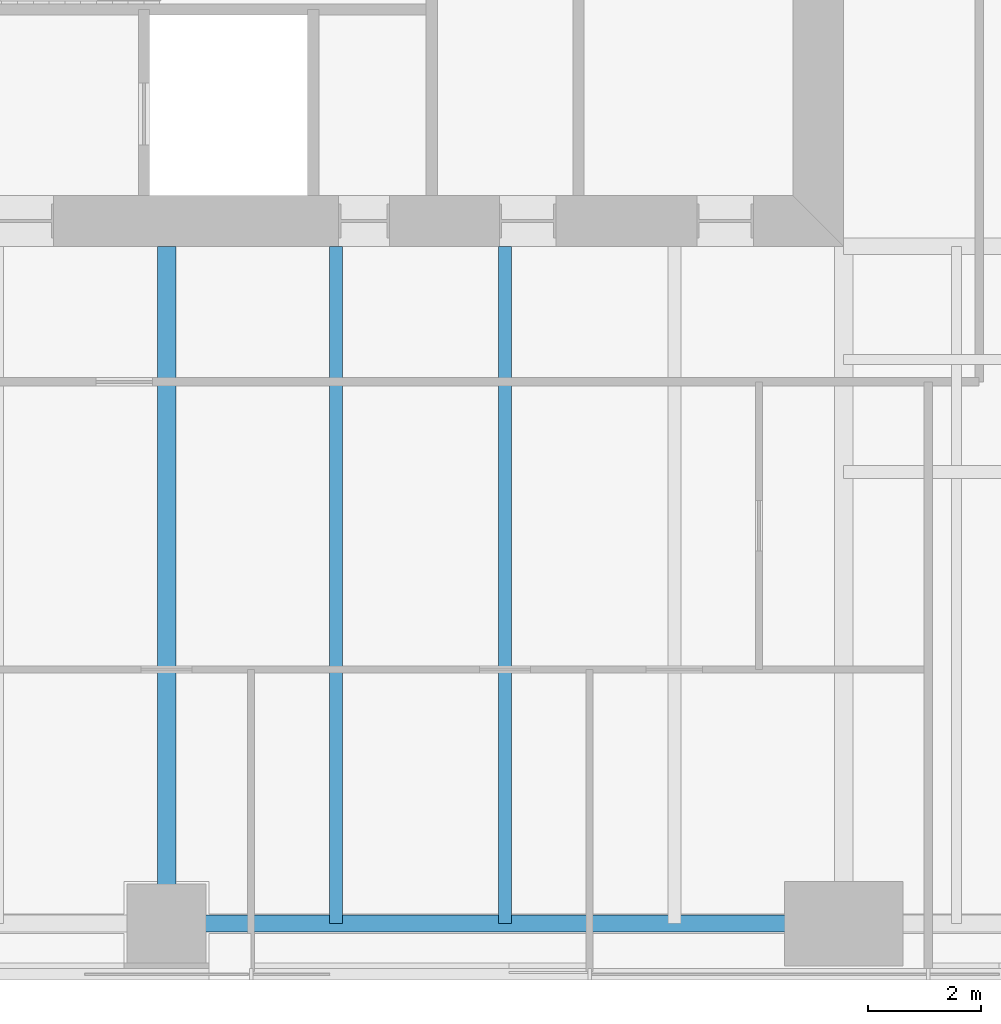
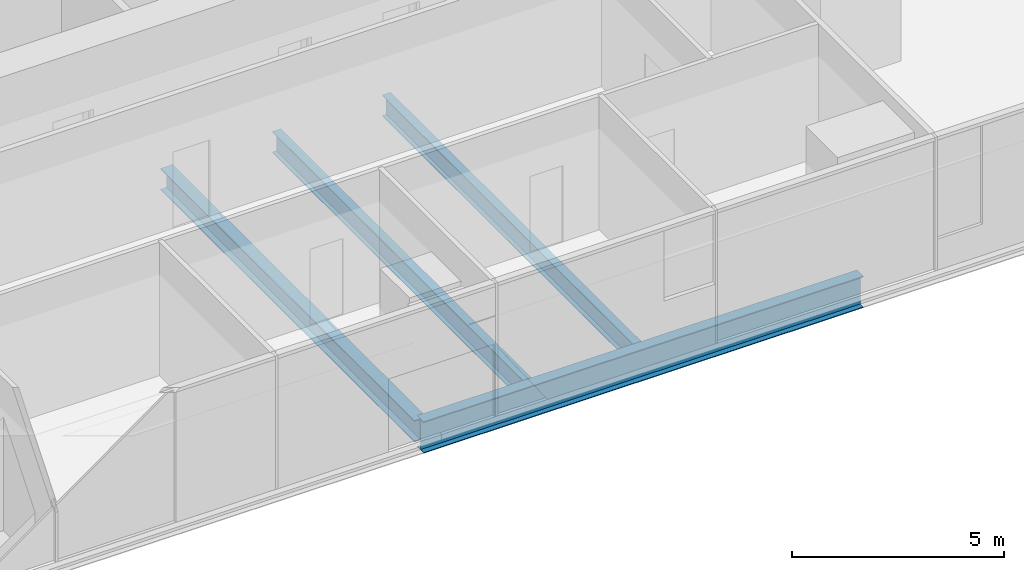
# One storey, part 3 of 13: 4 beams.
"""IFC4 building model written with IfcOpenShell, lengths in metres."""

from ifc_helpers import new_model, si_unit, direction, frame, origin, origin_2d, place, context, subcontext, project, spatial, i_section, extrude, material, material_profile, profile_set, type_object, element, save


model = new_model("IFC4")

# Units and contexts
model_context = context("Model", 3, precision=1e-05, world=origin(), true_north=direction((0.0, 1.0)))
body_context = subcontext(model_context, "Body", "Model", "MODEL_VIEW")
ifc_project = project(units=[si_unit("LENGTHUNIT", "METRE"), si_unit("AREAUNIT", "SQUARE_METRE"), si_unit("VOLUMEUNIT", "CUBIC_METRE"), si_unit("PLANEANGLEUNIT", "RADIAN"), si_unit("MASSUNIT", "GRAM", prefix="KILO")], contexts=[model_context])

# Site, building, storey
site_placement = place(None, origin())
site = spatial("IfcSite", under=ifc_project, at=site_placement, CompositionType="ELEMENT")
building_placement = place(site_placement, origin())
building = spatial("IfcBuilding", under=site, at=building_placement, Name="Fenwick Lantern Interchange", CompositionType="ELEMENT")
storey_placement = place(building_placement, frame((0.0, 0.0, 106.39990234375)))
storey = spatial("IfcBuildingStorey", under=building, at=storey_placement, Name="L24", CompositionType="ELEMENT", Elevation=106.39990234375)

# Beams
ifc_material = material(Name="Steel ASTM A992 Grade 50", Category="steel")
ifc_material_profile_1 = material_profile(ifc_material, i_section(OverallWidth=0.3046875, OverallDepth=0.911865234375, WebThickness=0.015869140625, FlangeThickness=0.02392578125, at=origin_2d()), Name="W36X150")
ifc_profile_set_1 = profile_set([ifc_material_profile_1], Name="Steel ASTM A992 Grade 50")
beam_type_1 = type_object("IfcBeamType", Name="EDGE BEAM W36X150", PredefinedType="SPANDREL", material=ifc_profile_set_1)
beam_1_placement = place(storey_placement, frame((25.0, 1.0, -0.605712890625), z_axis=(1.0, 0.0, 0.0), x_axis=(0.0, 1.0, 0.0)))
element("IfcBeam", 1, at=beam_1_placement, inside=storey, type_object=beam_type_1, Name="L24/FR/S/EB3", PredefinedType="SPANDREL", context=body_context, shape_type="SweptSolid", body=[
    extrude(i_section(OverallWidth=0.3046875, OverallDepth=0.911865234375, WebThickness=0.015869140625, FlangeThickness=0.02392578125, at=origin_2d()), origin(), (0.0, 0.0, 1.0), 12.0),
])
ifc_material_profile_2 = material_profile(ifc_material, i_section(OverallWidth=0.22900390625, OverallDepth=0.612060546875, WebThickness=0.011962890625, FlangeThickness=0.01953125, at=origin_2d()), Name="W24X84")
ifc_profile_set_2 = profile_set([ifc_material_profile_2], Name="Steel ASTM A992 Grade 50")
beam_type_2 = type_object("IfcBeamType", Name="FLOOR BEAM W24X84", PredefinedType="BEAM", material=ifc_profile_set_2)
for number, where, z_axis, x_axis, name in (
    (2, (28.0, 1.0, -0.4560546875), (0.0, 1.0, 0.0), (-1.0, 0.0, 0.0), "L24/FR/S/R06"),
    (3, (31.0, 1.0, -0.4560546875), (0.0, 1.0, 0.0), (-1.0, 0.0, 0.0), "L24/FR/S/R07"),
):
    element("IfcBeam", number, at=place(storey_placement, frame(where, z_axis=z_axis, x_axis=x_axis)), inside=storey, type_object=beam_type_2, Name=name, PredefinedType="BEAM", context=body_context, shape_type="SweptSolid", body=[
        extrude(i_section(OverallWidth=0.22900390625, OverallDepth=0.612060546875, WebThickness=0.011962890625, FlangeThickness=0.01953125, at=origin_2d()), origin(), (0.0, 0.0, 1.0), 12.0),
    ])
ifc_material_profile_3 = material_profile(ifc_material, i_section(OverallWidth=0.32763671875, OverallDepth=0.622314453125, WebThickness=0.015380859375, FlangeThickness=0.0244140625, at=origin_2d()), Name="W24X131")
ifc_profile_set_3 = profile_set([ifc_material_profile_3], Name="Steel ASTM A992 Grade 50")
beam_type_3 = type_object("IfcBeamType", Name="MOMENT-CONNECTED GIRDER W24X131", PredefinedType="BEAM", material=ifc_profile_set_3)
beam_2_placement = place(storey_placement, frame((25.0, 1.0, -0.4609375), z_axis=(0.0, 1.0, 0.0), x_axis=(-1.0, 0.0, 0.0)))
element("IfcBeam", 4, at=beam_2_placement, inside=storey, type_object=beam_type_3, Name="L24/FR/S/R05", PredefinedType="BEAM", context=body_context, shape_type="SweptSolid", body=[
    extrude(i_section(OverallWidth=0.32763671875, OverallDepth=0.622314453125, WebThickness=0.015380859375, FlangeThickness=0.0244140625, at=origin_2d()), origin(), (0.0, 0.0, 1.0), 12.0),
])

save(model, "model.ifc")
